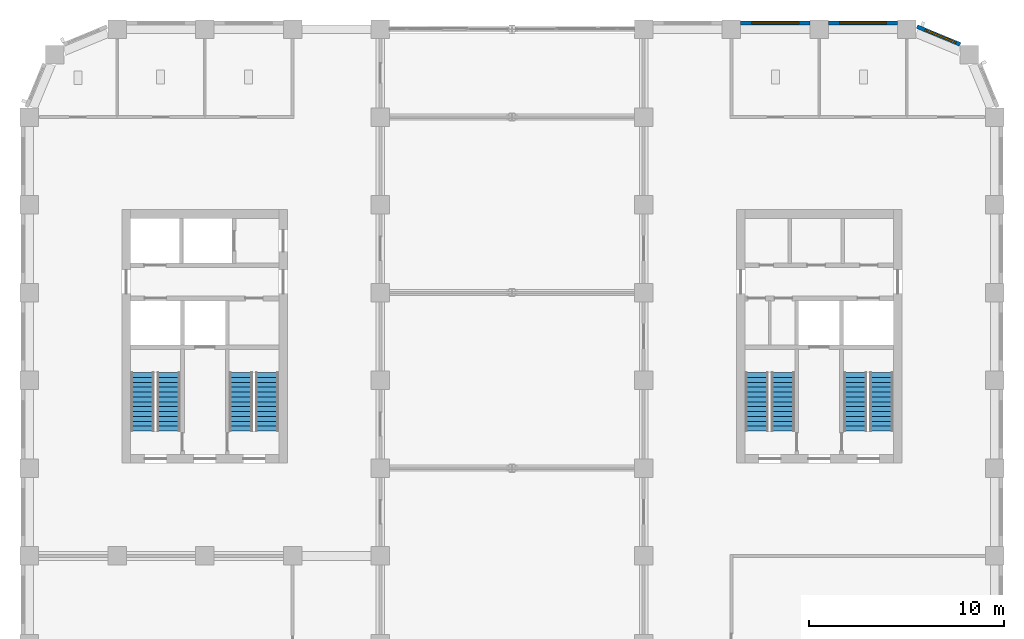
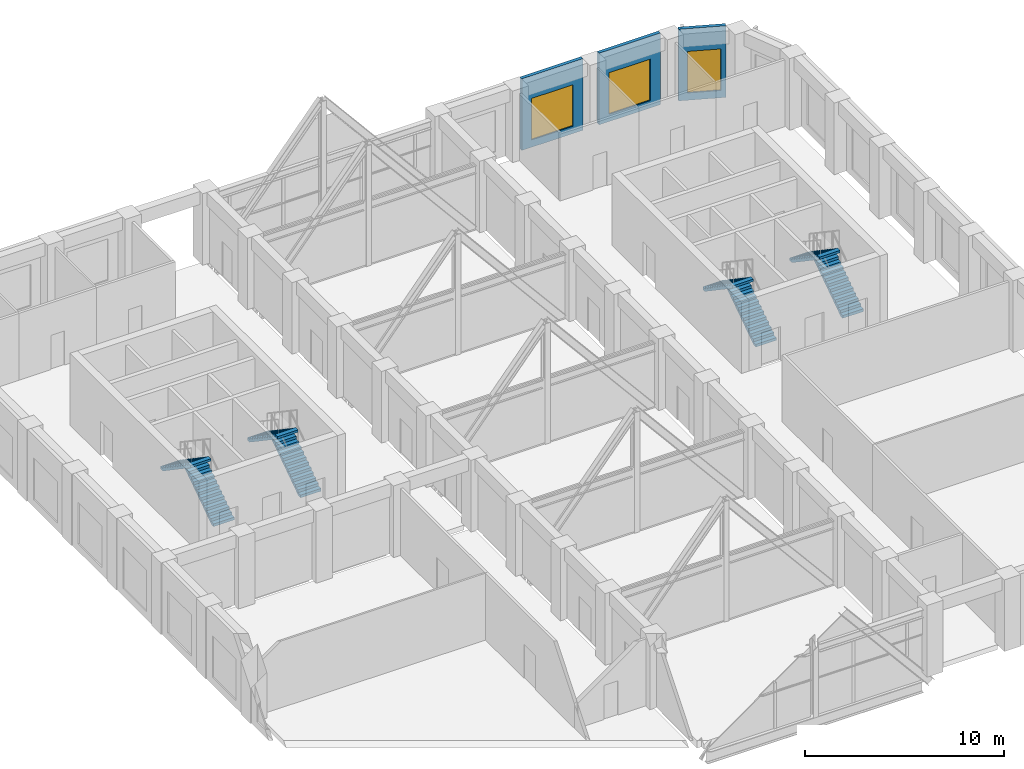
# One storey, part 12 of 15: 8 stair flights, 3 walls, 3 windows, 3 openings, 4 elements without a shape of their own.
"""IFC4 building model written with IfcOpenShell, lengths in metres."""

from ifc_helpers import new_model, si_unit, direction, frame, frame_2d, origin, place, context, subcontext, project, spatial, polyline, rectangle, outline, extrude, material, layer, layer_set, type_object, element, fill, aggregate, save


model = new_model("IFC4")

# Units and contexts
model_context = context("Model", 3, precision=1e-05, world=origin(), true_north=direction((0.0, 1.0)))
body_context = subcontext(model_context, "Body", "Model", "MODEL_VIEW")
ifc_project = project(units=[si_unit("LENGTHUNIT", "METRE"), si_unit("AREAUNIT", "SQUARE_METRE"), si_unit("VOLUMEUNIT", "CUBIC_METRE"), si_unit("PLANEANGLEUNIT", "RADIAN"), si_unit("MASSUNIT", "GRAM", prefix="KILO")], contexts=[model_context])

# Site, building, storey
site_placement = place(None, origin())
site = spatial("IfcSite", under=ifc_project, at=site_placement, CompositionType="ELEMENT")
building_placement = place(site_placement, origin())
building = spatial("IfcBuilding", under=site, at=building_placement, Name="Girih Gate Residences", CompositionType="ELEMENT")
storey_placement = place(building_placement, frame((0.0, 0.0, 168.199951171875)))
storey = spatial("IfcBuildingStorey", under=building, at=storey_placement, Name="L46", CompositionType="ELEMENT", Elevation=168.199951171875)

# Wall, opening, window
ifc_material_1 = material(Name="Precast concrete C50/60", Category="concrete")
ifc_layer_1 = layer(ifc_material_1, 0.06005859375, Name="Outer leaf")
ifc_material_2 = material(Name="Rigid PIR insulation")
ifc_layer_2 = layer(ifc_material_2, 0.090087890625, Name="Insulation")
ifc_material_3 = material(Name="Precast concrete C40/50", Category="concrete")
ifc_layer_3 = layer(ifc_material_3, 0.050048828125, Name="Inner leaf")
ifc_layer_set = layer_set([ifc_layer_1, ifc_layer_2, ifc_layer_3], Name="Precast concrete C50/60 external wall 200")
wall_type = type_object("IfcWallType", Name="Precast concrete C50/60 external wall 200", PredefinedType="SOLIDWALL", material=ifc_layer_set)
wall_1_placement = place(storey_placement, frame((45.51318359375, 49.63916015625, 0.0), z_axis=(0.0, 0.0, 1.0), x_axis=(0.923880599843, -0.382680855588, 0.0)))
wall_1 = element("IfcWall", 1, at=wall_1_placement, inside=storey, type_object=wall_type, Name="External wall NE0482_0482.0", PredefinedType="SOLIDWALL", context=body_context, shape_type="SweptSolid", body=[
    extrude(rectangle(XDim=2.402587890625, YDim=0.199951171875, at=frame_2d((1.201171875, 0.0))), origin(), (0.0, 0.0, 1.0), 4.400146484375),
])
opening_1_placement = place(wall_1_placement, frame((0.451171875, 0.0, 0.449951171875)))
opening_1 = element("IfcOpeningElement", 2, at=opening_1_placement, cuts=wall_1, Name="Opening W-2F", PredefinedType="OPENING", context=body_context, shape_type="SweptSolid", body=[
    extrude(rectangle(XDim=1.699951171875, YDim=2.550048828125, at=frame_2d((0.85009765625, 1.27490234375))), frame((0.0, 0.10986328125, 0.0), z_axis=(0.0, -1.0, 0.0), x_axis=(1.0, 0.0, 0.0)), (0.0, 0.0, 1.0), 0.219970703125),
])
ifc_material_4 = material(Name="Double glazing in aluminium frame", Category="aluminium")
window_type_1 = type_object("IfcWindowType", Name="Window W-2F 1700x2550", PartitioningType="SINGLE_PANEL", PredefinedType="WINDOW", material=ifc_material_4)
window_1_placement = place(opening_1_placement, origin())
window_1 = element("IfcWindow", 3, at=window_1_placement, inside=storey, type_object=window_type_1, Name="Window W-2F NE0482_0482.0", OverallHeight=2.550048828125, OverallWidth=1.699951171875, PartitioningType="SINGLE_PANEL", PredefinedType="WINDOW", context=body_context, shape_type="SweptSolid", body=[
    extrude(rectangle(XDim=1.699951171875, YDim=2.550048828125, at=frame_2d((0.85009765625, 1.27490234375))), frame((0.0, 0.030029296875, 0.0), z_axis=(0.0, -1.0, 0.0), x_axis=(1.0, 0.0, 0.0)), (0.0, 0.0, 1.0), 0.06005859375),
])
fill(opening_1, window_1)

wall_2_placement = place(storey_placement, frame((40.97509765625, 49.824951171875, 0.0), z_axis=(0.0, 0.0, 1.0), x_axis=(1.0, 0.0, 0.0)))
wall_2 = element("IfcWall", 4, at=wall_2_placement, inside=storey, type_object=wall_type, Name="External wall N0450_0495.0", PredefinedType="SOLIDWALL", context=body_context, shape_type="SweptSolid", body=[
    extrude(rectangle(XDim=3.5498046875, YDim=0.199951171875, at=frame_2d((1.77490234375, 0.0))), origin(), (0.0, 0.0, 1.0), 4.400146484375),
])
opening_2_placement = place(wall_2_placement, frame((0.574951171875, 0.0, 0.449951171875)))
opening_2 = element("IfcOpeningElement", 5, at=opening_2_placement, cuts=wall_2, Name="Opening W-6B", PredefinedType="OPENING", context=body_context, shape_type="SweptSolid", body=[
    extrude(rectangle(XDim=2.39990234375, YDim=2.550048828125, at=frame_2d((1.199951171875, 1.27490234375))), frame((0.0, 0.10986328125, 0.0), z_axis=(0.0, -1.0, 0.0), x_axis=(1.0, 0.0, 0.0)), (0.0, 0.0, 1.0), 0.219970703125),
])
window_type_2 = type_object("IfcWindowType", Name="Window W-6B 2400x2550", PartitioningType="SINGLE_PANEL", PredefinedType="WINDOW", material=ifc_material_4)
window_2_placement = place(opening_2_placement, origin())
window_2 = element("IfcWindow", 6, at=window_2_placement, inside=storey, type_object=window_type_2, Name="Window W-6B N0450_0495.0", OverallHeight=2.550048828125, OverallWidth=2.39990234375, PartitioningType="SINGLE_PANEL", PredefinedType="WINDOW", context=body_context, shape_type="SweptSolid", body=[
    extrude(rectangle(XDim=2.39990234375, YDim=2.550048828125, at=frame_2d((1.199951171875, 1.27490234375))), frame((0.0, 0.030029296875, 0.0), z_axis=(0.0, -1.0, 0.0), x_axis=(1.0, 0.0, 0.0)), (0.0, 0.0, 1.0), 0.06005859375),
])
fill(opening_2, window_2)

wall_3_placement = place(storey_placement, frame((36.47509765625, 49.824951171875, 0.0), z_axis=(0.0, 0.0, 1.0), x_axis=(1.0, 0.0, 0.0)))
wall_3 = element("IfcWall", 7, at=wall_3_placement, inside=storey, type_object=wall_type, Name="External wall N0450_0495.1", PredefinedType="SOLIDWALL", context=body_context, shape_type="SweptSolid", body=[
    extrude(rectangle(XDim=3.5498046875, YDim=0.199951171875, at=frame_2d((1.77490234375, 0.0))), origin(), (0.0, 0.0, 1.0), 4.400146484375),
])
opening_3_placement = place(wall_3_placement, frame((0.574951171875, 0.0, 0.449951171875)))
opening_3 = element("IfcOpeningElement", 8, at=opening_3_placement, cuts=wall_3, Name="Opening W-6B", PredefinedType="OPENING", context=body_context, shape_type="SweptSolid", body=[
    extrude(rectangle(XDim=2.39990234375, YDim=2.550048828125, at=frame_2d((1.199951171875, 1.27490234375))), frame((0.0, 0.10986328125, 0.0), z_axis=(0.0, -1.0, 0.0), x_axis=(1.0, 0.0, 0.0)), (0.0, 0.0, 1.0), 0.219970703125),
])
window_3_placement = place(opening_3_placement, origin())
window_3 = element("IfcWindow", 9, at=window_3_placement, inside=storey, type_object=window_type_2, Name="Window W-6B N0450_0495.1", OverallHeight=2.550048828125, OverallWidth=2.39990234375, PartitioningType="SINGLE_PANEL", PredefinedType="WINDOW", context=body_context, shape_type="SweptSolid", body=[
    extrude(rectangle(XDim=2.39990234375, YDim=2.550048828125, at=frame_2d((1.199951171875, 1.27490234375))), frame((0.0, 0.030029296875, 0.0), z_axis=(0.0, -1.0, 0.0), x_axis=(1.0, 0.0, 0.0)), (0.0, 0.0, 1.0), 0.06005859375),
])
fill(opening_3, window_3)

# Stair, stair flights
ifc_material_5 = material(Name="Concrete C40/50", Category="concrete")
stair_type = type_object("IfcStairType", Name="Exit stair", PredefinedType="HALF_TURN_STAIR", material=ifc_material_5)
stair_1_placement = place(storey_placement, origin())
stair_1 = element("IfcStair", 10, at=stair_1_placement, inside=storey, type_object=stair_type, Name="L46 Exit Stair ST-W1", PredefinedType="HALF_TURN_STAIR")
stair_flight_type = type_object("IfcStairFlightType", Name="Stair flight 1200", PredefinedType="STRAIGHT", material=ifc_material_5)
stair_flight_1_placement = place(storey_placement, frame((7.14990234375, 28.89990234375, 0.0), z_axis=(0.0, 0.0, 1.0), x_axis=(0.0, 1.0, 0.0)))
stair_flight_1 = element("IfcStairFlight", 11, at=stair_flight_1_placement, type_object=stair_flight_type, Name="ST-W1 flight 1", NumberOfRisers=13, NumberOfTreads=12, PredefinedType="STRAIGHT", RiserHeight=0.169230769, TreadLength=0.25, context=body_context, shape_type="SweptSolid", body=[
    extrude(outline(polyline([(0.0, 0.0), (0.0, 0.169189453125), (0.25, 0.169189453125), (0.25, 0.33837890625), (0.5, 0.33837890625), (0.5, 0.5078125), (0.75, 0.5078125), (0.75, 0.677001953125), (1.0, 0.677001953125), (1.0, 0.84619140625), (1.25, 0.84619140625), (1.25, 1.015380859375), (1.5, 1.015380859375), (1.5, 1.1845703125), (1.75, 1.1845703125), (1.75, 1.353759765625), (2.0, 1.353759765625), (2.0, 1.523193359375), (2.25, 1.523193359375), (2.25, 1.6923828125), (2.5, 1.6923828125), (2.5, 1.861572265625), (2.75, 1.861572265625), (2.75, 2.03076171875), (3.0, 2.03076171875), (3.0, 2.199951171875), (3.0, 1.8857421875), (0.21435546875, 0.0), (0.0, 0.0)])), frame((0.0, 0.60009765625, 0.0), z_axis=(0.0, -1.0, 0.0), x_axis=(1.0, 0.0, 0.0)), (0.0, 0.0, 1.0), 1.199951171875),
])
stair_flight_2_placement = place(storey_placement, frame((5.800048828125, 31.89990234375, 2.199951171875), z_axis=(0.0, 0.0, 1.0), x_axis=(0.0, -1.0, 0.0)))
stair_flight_2 = element("IfcStairFlight", 12, at=stair_flight_2_placement, type_object=stair_flight_type, Name="ST-W1 flight 2", NumberOfRisers=13, NumberOfTreads=12, PredefinedType="STRAIGHT", RiserHeight=0.169230769, TreadLength=0.25, context=body_context, shape_type="SweptSolid", body=[
    extrude(outline(polyline([(0.0, 0.0), (0.0, 0.169189453125), (0.25, 0.169189453125), (0.25, 0.33837890625), (0.5, 0.33837890625), (0.5, 0.5078125), (0.75, 0.5078125), (0.75, 0.677001953125), (1.0, 0.677001953125), (1.0, 0.84619140625), (1.25, 0.84619140625), (1.25, 1.015380859375), (1.5, 1.015380859375), (1.5, 1.1845703125), (1.75, 1.1845703125), (1.75, 1.353759765625), (2.0, 1.353759765625), (2.0, 1.523193359375), (2.25, 1.523193359375), (2.25, 1.6923828125), (2.5, 1.6923828125), (2.5, 1.861572265625), (2.75, 1.861572265625), (2.75, 2.03076171875), (3.0, 2.03076171875), (3.0, 2.199951171875), (3.0, 1.8857421875), (0.21435546875, 0.0), (0.0, 0.0)])), frame((0.0, 0.60009765625, 0.0), z_axis=(0.0, -1.0, 0.0), x_axis=(1.0, 0.0, 0.0)), (0.0, 0.0, 1.0), 1.199951171875),
])
aggregate(stair_1, [stair_flight_1, stair_flight_2])

stair_2_placement = place(storey_placement, origin())
stair_2 = element("IfcStair", 13, at=stair_2_placement, inside=storey, type_object=stair_type, Name="L46 Exit Stair ST-W2", PredefinedType="HALF_TURN_STAIR")
stair_flight_3_placement = place(storey_placement, frame((12.199951171875, 28.89990234375, 0.0), z_axis=(0.0, 0.0, 1.0), x_axis=(0.0, 1.0, 0.0)))
stair_flight_3 = element("IfcStairFlight", 14, at=stair_flight_3_placement, type_object=stair_flight_type, Name="ST-W2 flight 1", NumberOfRisers=13, NumberOfTreads=12, PredefinedType="STRAIGHT", RiserHeight=0.169230769, TreadLength=0.25, context=body_context, shape_type="SweptSolid", body=[
    extrude(outline(polyline([(0.0, 0.0), (0.0, 0.169189453125), (0.25, 0.169189453125), (0.25, 0.33837890625), (0.5, 0.33837890625), (0.5, 0.5078125), (0.75, 0.5078125), (0.75, 0.677001953125), (1.0, 0.677001953125), (1.0, 0.84619140625), (1.25, 0.84619140625), (1.25, 1.015380859375), (1.5, 1.015380859375), (1.5, 1.1845703125), (1.75, 1.1845703125), (1.75, 1.353759765625), (2.0, 1.353759765625), (2.0, 1.523193359375), (2.25, 1.523193359375), (2.25, 1.6923828125), (2.5, 1.6923828125), (2.5, 1.861572265625), (2.75, 1.861572265625), (2.75, 2.03076171875), (3.0, 2.03076171875), (3.0, 2.199951171875), (3.0, 1.8857421875), (0.21435546875, 0.0), (0.0, 0.0)])), frame((0.0, 0.60009765625, 0.0), z_axis=(0.0, -1.0, 0.0), x_axis=(1.0, 0.0, 0.0)), (0.0, 0.0, 1.0), 1.199951171875),
])
stair_flight_4_placement = place(storey_placement, frame((10.85009765625, 31.89990234375, 2.199951171875), z_axis=(0.0, 0.0, 1.0), x_axis=(0.0, -1.0, 0.0)))
stair_flight_4 = element("IfcStairFlight", 15, at=stair_flight_4_placement, type_object=stair_flight_type, Name="ST-W2 flight 2", NumberOfRisers=13, NumberOfTreads=12, PredefinedType="STRAIGHT", RiserHeight=0.169230769, TreadLength=0.25, context=body_context, shape_type="SweptSolid", body=[
    extrude(outline(polyline([(0.0, 0.0), (0.0, 0.169189453125), (0.25, 0.169189453125), (0.25, 0.33837890625), (0.5, 0.33837890625), (0.5, 0.5078125), (0.75, 0.5078125), (0.75, 0.677001953125), (1.0, 0.677001953125), (1.0, 0.84619140625), (1.25, 0.84619140625), (1.25, 1.015380859375), (1.5, 1.015380859375), (1.5, 1.1845703125), (1.75, 1.1845703125), (1.75, 1.353759765625), (2.0, 1.353759765625), (2.0, 1.523193359375), (2.25, 1.523193359375), (2.25, 1.6923828125), (2.5, 1.6923828125), (2.5, 1.861572265625), (2.75, 1.861572265625), (2.75, 2.03076171875), (3.0, 2.03076171875), (3.0, 2.199951171875), (3.0, 1.8857421875), (0.21435546875, 0.0), (0.0, 0.0)])), frame((0.0, 0.60009765625, 0.0), z_axis=(0.0, -1.0, 0.0), x_axis=(1.0, 0.0, 0.0)), (0.0, 0.0, 1.0), 1.199951171875),
])
aggregate(stair_2, [stair_flight_3, stair_flight_4])

stair_3_placement = place(storey_placement, origin())
stair_3 = element("IfcStair", 16, at=stair_3_placement, inside=storey, type_object=stair_type, Name="L46 Exit Stair ST-E1", PredefinedType="HALF_TURN_STAIR")
stair_flight_5_placement = place(storey_placement, frame((43.699951171875, 28.89990234375, 0.0), z_axis=(0.0, 0.0, 1.0), x_axis=(0.0, 1.0, 0.0)))
stair_flight_5 = element("IfcStairFlight", 17, at=stair_flight_5_placement, type_object=stair_flight_type, Name="ST-E1 flight 1", NumberOfRisers=13, NumberOfTreads=12, PredefinedType="STRAIGHT", RiserHeight=0.169230769, TreadLength=0.25, context=body_context, shape_type="SweptSolid", body=[
    extrude(outline(polyline([(0.0, 0.0), (0.0, 0.169189453125), (0.25, 0.169189453125), (0.25, 0.33837890625), (0.5, 0.33837890625), (0.5, 0.5078125), (0.75, 0.5078125), (0.75, 0.677001953125), (1.0, 0.677001953125), (1.0, 0.84619140625), (1.25, 0.84619140625), (1.25, 1.015380859375), (1.5, 1.015380859375), (1.5, 1.1845703125), (1.75, 1.1845703125), (1.75, 1.353759765625), (2.0, 1.353759765625), (2.0, 1.523193359375), (2.25, 1.523193359375), (2.25, 1.6923828125), (2.5, 1.6923828125), (2.5, 1.861572265625), (2.75, 1.861572265625), (2.75, 2.03076171875), (3.0, 2.03076171875), (3.0, 2.199951171875), (3.0, 1.8857421875), (0.21435546875, 0.0), (0.0, 0.0)])), frame((0.0, 0.60009765625, 0.0), z_axis=(0.0, -1.0, 0.0), x_axis=(1.0, 0.0, 0.0)), (0.0, 0.0, 1.0), 1.199951171875),
])
stair_flight_6_placement = place(storey_placement, frame((42.35009765625, 31.89990234375, 2.199951171875), z_axis=(0.0, 0.0, 1.0), x_axis=(0.0, -1.0, 0.0)))
stair_flight_6 = element("IfcStairFlight", 18, at=stair_flight_6_placement, type_object=stair_flight_type, Name="ST-E1 flight 2", NumberOfRisers=13, NumberOfTreads=12, PredefinedType="STRAIGHT", RiserHeight=0.169230769, TreadLength=0.25, context=body_context, shape_type="SweptSolid", body=[
    extrude(outline(polyline([(0.0, 0.0), (0.0, 0.169189453125), (0.25, 0.169189453125), (0.25, 0.33837890625), (0.5, 0.33837890625), (0.5, 0.5078125), (0.75, 0.5078125), (0.75, 0.677001953125), (1.0, 0.677001953125), (1.0, 0.84619140625), (1.25, 0.84619140625), (1.25, 1.015380859375), (1.5, 1.015380859375), (1.5, 1.1845703125), (1.75, 1.1845703125), (1.75, 1.353759765625), (2.0, 1.353759765625), (2.0, 1.523193359375), (2.25, 1.523193359375), (2.25, 1.6923828125), (2.5, 1.6923828125), (2.5, 1.861572265625), (2.75, 1.861572265625), (2.75, 2.03076171875), (3.0, 2.03076171875), (3.0, 2.199951171875), (3.0, 1.8857421875), (0.21435546875, 0.0), (0.0, 0.0)])), frame((0.0, 0.60009765625, 0.0), z_axis=(0.0, -1.0, 0.0), x_axis=(1.0, 0.0, 0.0)), (0.0, 0.0, 1.0), 1.199951171875),
])
aggregate(stair_3, [stair_flight_5, stair_flight_6])

stair_4_placement = place(storey_placement, origin())
stair_4 = element("IfcStair", 19, at=stair_4_placement, inside=storey, type_object=stair_type, Name="L46 Exit Stair ST-E2", PredefinedType="HALF_TURN_STAIR")
stair_flight_7_placement = place(storey_placement, frame((38.64990234375, 28.89990234375, 0.0), z_axis=(0.0, 0.0, 1.0), x_axis=(0.0, 1.0, 0.0)))
stair_flight_7 = element("IfcStairFlight", 20, at=stair_flight_7_placement, type_object=stair_flight_type, Name="ST-E2 flight 1", NumberOfRisers=13, NumberOfTreads=12, PredefinedType="STRAIGHT", RiserHeight=0.169230769, TreadLength=0.25, context=body_context, shape_type="SweptSolid", body=[
    extrude(outline(polyline([(0.0, 0.0), (0.0, 0.169189453125), (0.25, 0.169189453125), (0.25, 0.33837890625), (0.5, 0.33837890625), (0.5, 0.5078125), (0.75, 0.5078125), (0.75, 0.677001953125), (1.0, 0.677001953125), (1.0, 0.84619140625), (1.25, 0.84619140625), (1.25, 1.015380859375), (1.5, 1.015380859375), (1.5, 1.1845703125), (1.75, 1.1845703125), (1.75, 1.353759765625), (2.0, 1.353759765625), (2.0, 1.523193359375), (2.25, 1.523193359375), (2.25, 1.6923828125), (2.5, 1.6923828125), (2.5, 1.861572265625), (2.75, 1.861572265625), (2.75, 2.03076171875), (3.0, 2.03076171875), (3.0, 2.199951171875), (3.0, 1.8857421875), (0.21435546875, 0.0), (0.0, 0.0)])), frame((0.0, 0.60009765625, 0.0), z_axis=(0.0, -1.0, 0.0), x_axis=(1.0, 0.0, 0.0)), (0.0, 0.0, 1.0), 1.199951171875),
])
stair_flight_8_placement = place(storey_placement, frame((37.300048828125, 31.89990234375, 2.199951171875), z_axis=(0.0, 0.0, 1.0), x_axis=(0.0, -1.0, 0.0)))
stair_flight_8 = element("IfcStairFlight", 21, at=stair_flight_8_placement, type_object=stair_flight_type, Name="ST-E2 flight 2", NumberOfRisers=13, NumberOfTreads=12, PredefinedType="STRAIGHT", RiserHeight=0.169230769, TreadLength=0.25, context=body_context, shape_type="SweptSolid", body=[
    extrude(outline(polyline([(0.0, 0.0), (0.0, 0.169189453125), (0.25, 0.169189453125), (0.25, 0.33837890625), (0.5, 0.33837890625), (0.5, 0.5078125), (0.75, 0.5078125), (0.75, 0.677001953125), (1.0, 0.677001953125), (1.0, 0.84619140625), (1.25, 0.84619140625), (1.25, 1.015380859375), (1.5, 1.015380859375), (1.5, 1.1845703125), (1.75, 1.1845703125), (1.75, 1.353759765625), (2.0, 1.353759765625), (2.0, 1.523193359375), (2.25, 1.523193359375), (2.25, 1.6923828125), (2.5, 1.6923828125), (2.5, 1.861572265625), (2.75, 1.861572265625), (2.75, 2.03076171875), (3.0, 2.03076171875), (3.0, 2.199951171875), (3.0, 1.8857421875), (0.21435546875, 0.0), (0.0, 0.0)])), frame((0.0, 0.60009765625, 0.0), z_axis=(0.0, -1.0, 0.0), x_axis=(1.0, 0.0, 0.0)), (0.0, 0.0, 1.0), 1.199951171875),
])
aggregate(stair_4, [stair_flight_7, stair_flight_8])

save(model, "model.ifc")
